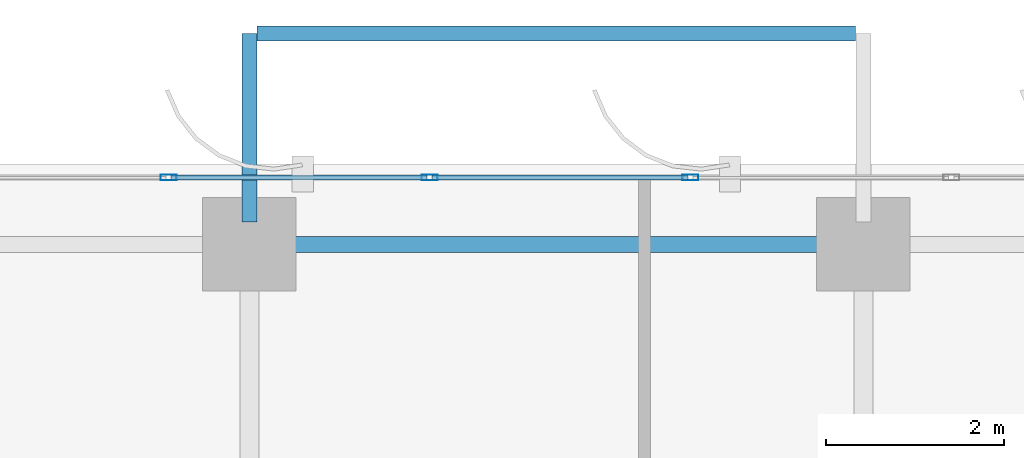
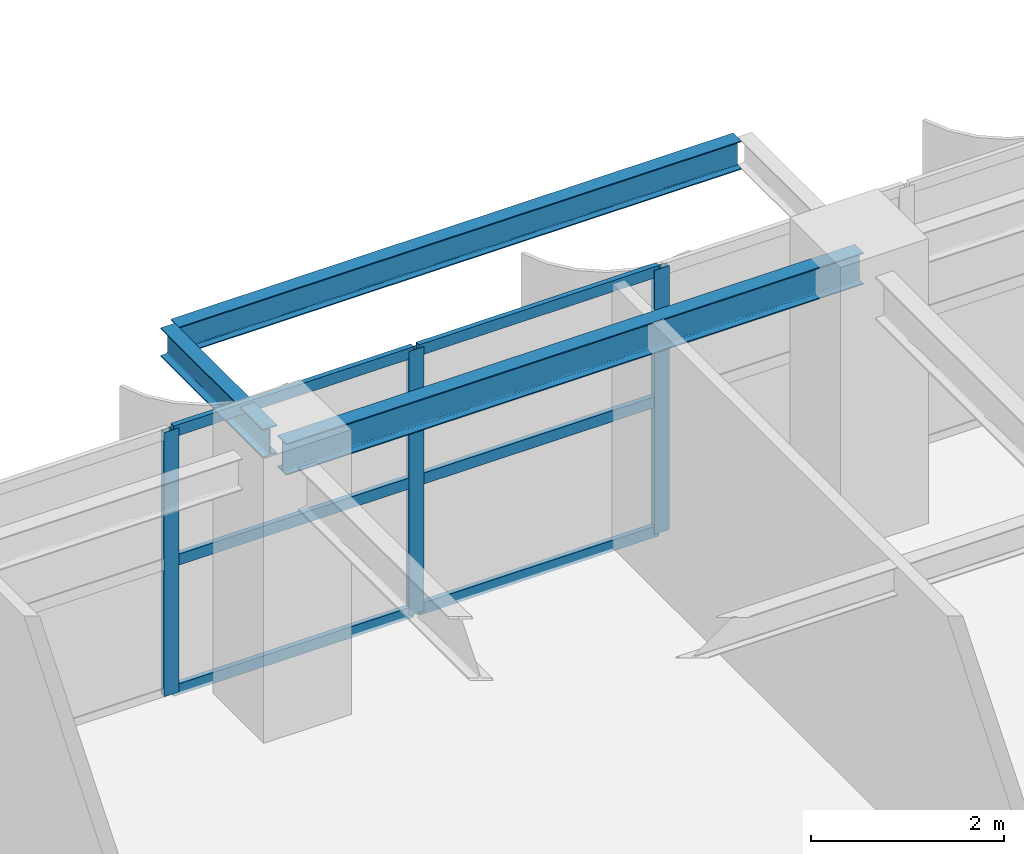
# One storey, part 15 of 27: 9 members, 3 beams, 1 element without a shape of its own.
"""IFC4 building model written with IfcOpenShell, lengths in metres."""

from ifc_helpers import new_model, si_unit, direction, frame, origin, origin_2d, place, context, subcontext, project, spatial, hollow_rectangle, i_section, extrude, source, transform, mapped, material, layer, layer_set, material_profile, profile_set, type_object, element, aggregate, save


model = new_model("IFC4")

# Units and contexts
model_context = context("Model", 3, precision=1e-05, world=origin(), true_north=direction((0.0, 1.0)))
body_context = subcontext(model_context, "Body", "Model", "MODEL_VIEW")
ifc_project = project(units=[si_unit("LENGTHUNIT", "METRE"), si_unit("AREAUNIT", "SQUARE_METRE"), si_unit("VOLUMEUNIT", "CUBIC_METRE"), si_unit("PLANEANGLEUNIT", "RADIAN"), si_unit("MASSUNIT", "GRAM", prefix="KILO")], contexts=[model_context])

# Site, building, storey
site_placement = place(None, origin())
site = spatial("IfcSite", under=ifc_project, at=site_placement, CompositionType="ELEMENT")
building_placement = place(site_placement, origin())
building = spatial("IfcBuilding", under=site, at=building_placement, Name="Khoralis Quay Care Tower", CompositionType="ELEMENT")
storey_placement = place(building_placement, frame((0.0, 0.0, 105.300048828125)))
storey = spatial("IfcBuildingStorey", under=building, at=storey_placement, Name="L27", CompositionType="ELEMENT", Elevation=105.300048828125)

# Beams
ifc_material_1 = material(Name="Steel S355", Category="steel")
ifc_material_profile_1 = material_profile(ifc_material_1, i_section(OverallWidth=0.179931640625, OverallDepth=0.39990234375, WebThickness=0.008544921875, FlangeThickness=0.013427734375, FilletRadius=0.02099609375, at=origin_2d()), Name="Steel S355")
ifc_profile_set_1 = profile_set([ifc_material_profile_1], Name="Steel S355")
beam_type_1 = type_object("IfcBeamType", Name="BM-IPE400", PredefinedType="SPANDREL", material=ifc_profile_set_1)
shared_shape_1 = source(origin(), body_context, "Body", "SweptSolid", [
    extrude(i_section(OverallWidth=0.179931640625, OverallDepth=0.39990234375, WebThickness=0.008544921875, FlangeThickness=0.013427734375, FilletRadius=0.02099609375, at=origin_2d()), origin(), (0.0, 0.0, 1.0), 6.89990234375),
])
beam_1_placement = place(storey_placement, frame((17.10009765625, 44.10009765625, 3.139892578125), z_axis=(1.0, 0.0, 0.0), x_axis=(0.0, 1.0, 0.0)))
element("IfcBeam", 1, at=beam_1_placement, inside=storey, type_object=beam_type_1, Name="BM-TSP-L27-08", PredefinedType="SPANDREL", context=body_context, shape_type="MappedRepresentation", body=[
    mapped(shared_shape_1, transform((0.0, 0.0, 0.0), scale=1.0)),
])
ifc_material_profile_2 = material_profile(ifc_material_1, i_section(OverallWidth=0.169921875, OverallDepth=0.360107421875, WebThickness=0.008056640625, FlangeThickness=0.0126953125, FilletRadius=0.01806640625, at=origin_2d()), Name="Steel S355")
ifc_profile_set_2 = profile_set([ifc_material_profile_2], Name="Steel S355")
beam_type_2 = type_object("IfcBeamType", Name="BM-IPE360", PredefinedType="SPANDREL", material=ifc_profile_set_2)
shared_shape_2 = source(origin(), body_context, "Body", "SweptSolid", [
    extrude(i_section(OverallWidth=0.169921875, OverallDepth=0.360107421875, WebThickness=0.008056640625, FlangeThickness=0.0126953125, FilletRadius=0.01806640625, at=origin_2d()), origin(), (0.0, 0.0, 1.0), 2.119873046875),
])
beam_2_placement = place(storey_placement, frame((17.10009765625, 44.35009765625, 3.1640625), z_axis=(0.0, 1.0, 0.0), x_axis=(-1.0, 0.0, 0.0)))
element("IfcBeam", 2, at=beam_2_placement, inside=storey, type_object=beam_type_2, Name="L28 Balcony Cantilever Outrigger Beam 1", PredefinedType="SPANDREL", context=body_context, shape_type="MappedRepresentation", body=[
    mapped(shared_shape_2, transform((0.0, 0.0, 0.0), scale=1.0)),
])
shared_shape_3 = source(origin(), body_context, "Body", "SweptSolid", [
    extrude(i_section(OverallWidth=0.169921875, OverallDepth=0.360107421875, WebThickness=0.008056640625, FlangeThickness=0.0126953125, FilletRadius=0.01806640625, at=origin_2d()), origin(), (0.0, 0.0, 1.0), 6.72412109375),
])
beam_3_placement = place(storey_placement, frame((17.18798828125, 46.469970703125, 3.1640625), z_axis=(1.0, 0.0, 0.0), x_axis=(0.0, 1.0, 0.0)))
element("IfcBeam", 3, at=beam_3_placement, inside=storey, type_object=beam_type_2, Name="L28 Balcony Edge Spandrel Beam P1E10", PredefinedType="SPANDREL", context=body_context, shape_type="MappedRepresentation", body=[
    mapped(shared_shape_3, transform((0.0, 0.0, 0.0), scale=1.0)),
])

# Curtain wall, members
ifc_material_2 = material(Name="Pale anodised aluminium", Category="aluminium")
ifc_layer = layer(ifc_material_2, 0.169921875)
ifc_layer_set = layer_set([ifc_layer], Name="Pale anodised aluminium")
curtain_wall_type = type_object("IfcCurtainWallType", Name="CW-SYS-Z2", PredefinedType="NOTDEFINED", material=ifc_layer_set)
curtain_wall_placement = place(storey_placement, origin())
curtain_wall = element("IfcCurtainWall", 4, at=curtain_wall_placement, inside=storey, type_object=curtain_wall_type, Name="L27 Unitised Curtain Wall CW-L27-P1-E10", PredefinedType="NOTDEFINED")
ifc_material_profile_3 = material_profile(ifc_material_2, hollow_rectangle(XDim=0.06494140625, YDim=0.179931640625, WallThickness=0.00390625, at=origin_2d()), Name="Pale anodised aluminium")
ifc_profile_set_3 = profile_set([ifc_material_profile_3], Name="Pale anodised aluminium")
member_type_1 = type_object("IfcMemberType", Name="CW-MUL-180", PredefinedType="MULLION", material=ifc_profile_set_3)
shared_shape_4 = source(origin(), body_context, "Body", "SweptSolid", [
    extrude(hollow_rectangle(XDim=0.06494140625, YDim=0.179931640625, WallThickness=0.00390625, at=origin_2d()), origin(), (0.0, 0.0, 1.0), 3.33984375),
])
member_1_placement = place(storey_placement, frame((22.055908203125, 44.85009765625, 0.0), z_axis=(0.0, 0.0, 1.0), x_axis=(0.0, -1.0, 0.0)))
member_1 = element("IfcMember", 5, at=member_1_placement, type_object=member_type_1, Name="CW2 mullion 3", PredefinedType="MULLION", context=body_context, shape_type="MappedRepresentation", body=[
    mapped(shared_shape_4, transform((0.0, 0.0, 0.0), scale=1.0)),
])
member_2_placement = place(storey_placement, frame((19.1240234375, 44.85009765625, 0.0), z_axis=(0.0, 0.0, 1.0), x_axis=(0.0, -1.0, 0.0)))
member_2 = element("IfcMember", 6, at=member_2_placement, type_object=member_type_1, Name="CW2 mullion 4", PredefinedType="MULLION", context=body_context, shape_type="MappedRepresentation", body=[
    mapped(shared_shape_4, transform((0.0, 0.0, 0.0), scale=1.0)),
])
member_3_placement = place(storey_placement, frame((16.19189453125, 44.85009765625, 0.0), z_axis=(0.0, 0.0, 1.0), x_axis=(0.0, -1.0, 0.0)))
member_3 = element("IfcMember", 7, at=member_3_placement, type_object=member_type_1, Name="CW2 mullion 5", PredefinedType="MULLION", context=body_context, shape_type="MappedRepresentation", body=[
    mapped(shared_shape_4, transform((0.0, 0.0, 0.0), scale=1.0)),
])
ifc_material_profile_4 = material_profile(ifc_material_2, hollow_rectangle(XDim=0.06005859375, YDim=0.139892578125, WallThickness=0.00390625, at=origin_2d()), Name="Pale anodised aluminium")
ifc_profile_set_4 = profile_set([ifc_material_profile_4], Name="Pale anodised aluminium")
member_type_2 = type_object("IfcMemberType", Name="CW-TRN-140", PredefinedType="USERDEFINED", material=ifc_profile_set_4)
shared_shape_5 = source(origin(), body_context, "Body", "SweptSolid", [
    extrude(hollow_rectangle(XDim=0.06005859375, YDim=0.139892578125, WallThickness=0.00390625, at=origin_2d()), origin(), (0.0, 0.0, 1.0), 2.8720703125),
])
member_4_placement = place(storey_placement, frame((19.093994140625, 44.85009765625, 0.030029296875), z_axis=(-1.0, 0.0, 0.0), x_axis=(0.0, -1.0, 0.0)))
member_4 = element("IfcMember", 8, at=member_4_placement, type_object=member_type_2, Name="CW2 transom 4.1", ObjectType="TRANSOM", PredefinedType="USERDEFINED", context=body_context, shape_type="MappedRepresentation", body=[
    mapped(shared_shape_5, transform((0.0, 0.0, 0.0), scale=1.0)),
])
member_5_placement = place(storey_placement, frame((19.093994140625, 44.85009765625, 1.669921875), z_axis=(-1.0, 0.0, 0.0), x_axis=(0.0, -1.0, 0.0)))
member_5 = element("IfcMember", 9, at=member_5_placement, type_object=member_type_2, Name="CW2 transom 4.2", ObjectType="TRANSOM", PredefinedType="USERDEFINED", context=body_context, shape_type="MappedRepresentation", body=[
    mapped(shared_shape_5, transform((0.0, 0.0, 0.0), scale=1.0)),
])
member_6_placement = place(storey_placement, frame((19.093994140625, 44.85009765625, 3.31005859375), z_axis=(-1.0, 0.0, 0.0), x_axis=(0.0, -1.0, 0.0)))
member_6 = element("IfcMember", 10, at=member_6_placement, type_object=member_type_2, Name="CW2 transom 4.3", ObjectType="TRANSOM", PredefinedType="USERDEFINED", context=body_context, shape_type="MappedRepresentation", body=[
    mapped(shared_shape_5, transform((0.0, 0.0, 0.0), scale=1.0)),
])
shared_shape_6 = source(origin(), body_context, "Body", "SweptSolid", [
    extrude(hollow_rectangle(XDim=0.06005859375, YDim=0.139892578125, WallThickness=0.00390625, at=origin_2d()), origin(), (0.0, 0.0, 1.0), 2.871826171875),
])
member_7_placement = place(storey_placement, frame((22.02587890625, 44.85009765625, 0.030029296875), z_axis=(-1.0, 0.0, 0.0), x_axis=(0.0, -1.0, 0.0)))
member_7 = element("IfcMember", 11, at=member_7_placement, type_object=member_type_2, Name="CW2 transom 3.1", ObjectType="TRANSOM", PredefinedType="USERDEFINED", context=body_context, shape_type="MappedRepresentation", body=[
    mapped(shared_shape_6, transform((0.0, 0.0, 0.0), scale=1.0)),
])
member_8_placement = place(storey_placement, frame((22.02587890625, 44.85009765625, 1.669921875), z_axis=(-1.0, 0.0, 0.0), x_axis=(0.0, -1.0, 0.0)))
member_8 = element("IfcMember", 12, at=member_8_placement, type_object=member_type_2, Name="CW2 transom 3.2", ObjectType="TRANSOM", PredefinedType="USERDEFINED", context=body_context, shape_type="MappedRepresentation", body=[
    mapped(shared_shape_6, transform((0.0, 0.0, 0.0), scale=1.0)),
])
member_9_placement = place(storey_placement, frame((22.02587890625, 44.85009765625, 3.31005859375), z_axis=(-1.0, 0.0, 0.0), x_axis=(0.0, -1.0, 0.0)))
member_9 = element("IfcMember", 13, at=member_9_placement, type_object=member_type_2, Name="CW2 transom 3.3", ObjectType="TRANSOM", PredefinedType="USERDEFINED", context=body_context, shape_type="MappedRepresentation", body=[
    mapped(shared_shape_6, transform((0.0, 0.0, 0.0), scale=1.0)),
])
aggregate(curtain_wall, [member_1, member_2, member_3, member_7, member_8, member_9, member_4, member_5, member_6])

save(model, "model.ifc")
